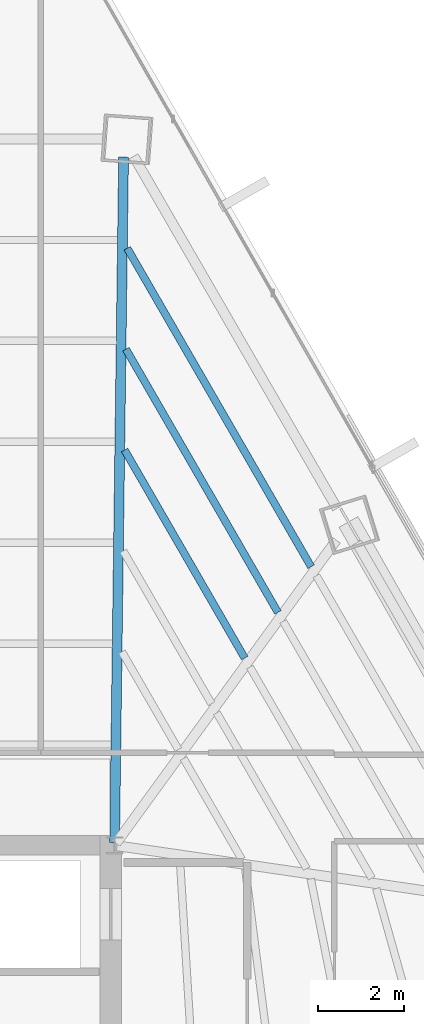
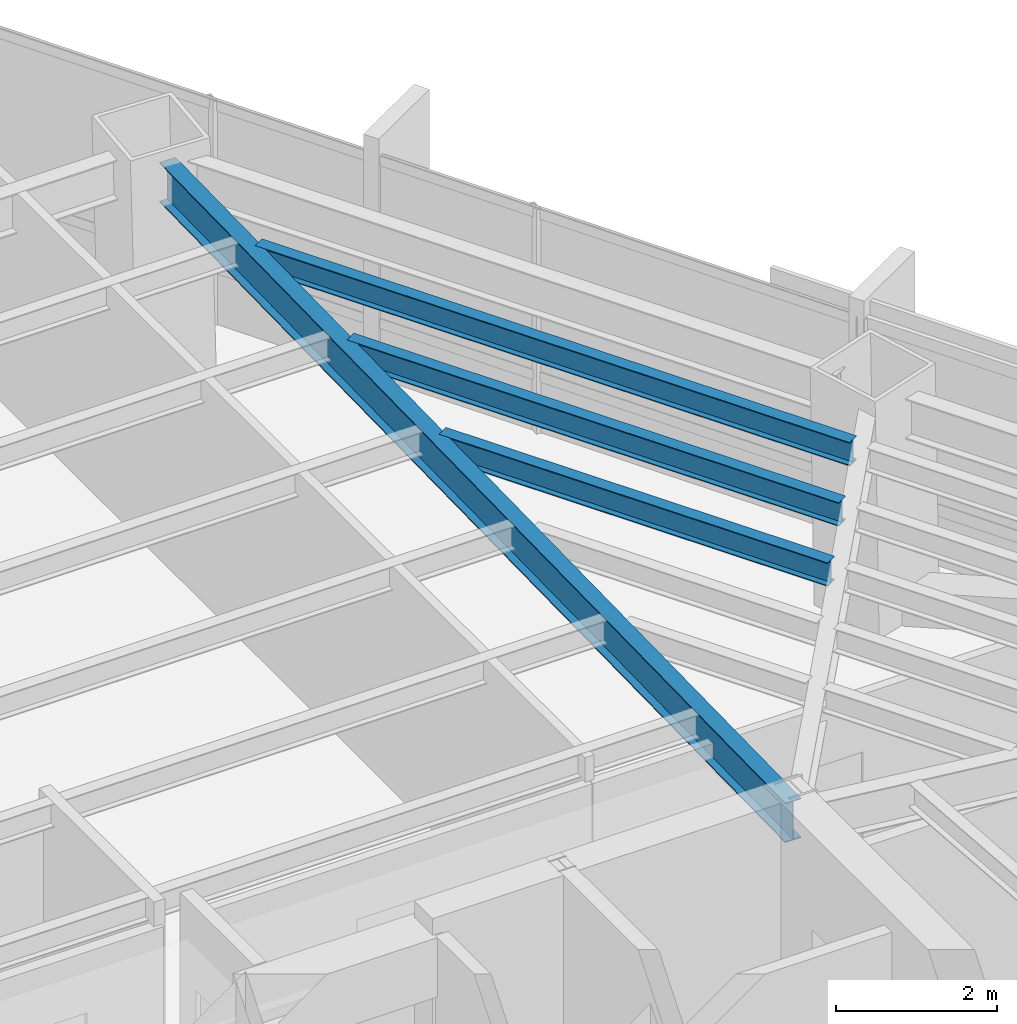
# One storey, part 27 of 35: 4 beams.
"""IFC4 building model written with IfcOpenShell, lengths in metres."""

from ifc_helpers import new_model, si_unit, direction, frame, origin, origin_2d, place, context, subcontext, project, spatial, i_section, extrude, source, transform, mapped, material, material_profile, profile_set, type_object, type_shapes, element, save


model = new_model("IFC4")

# Units and contexts
model_context = context("Model", 3, precision=1e-05, world=origin(), true_north=direction((0.0, 1.0)))
body_context = subcontext(model_context, "Body", "Model", "MODEL_VIEW")
ifc_project = project(units=[si_unit("LENGTHUNIT", "METRE"), si_unit("AREAUNIT", "SQUARE_METRE"), si_unit("VOLUMEUNIT", "CUBIC_METRE"), si_unit("PLANEANGLEUNIT", "RADIAN"), si_unit("MASSUNIT", "GRAM", prefix="KILO")], contexts=[model_context])

# Site, building, storey
site_placement = place(None, origin())
site = spatial("IfcSite", under=ifc_project, at=site_placement, CompositionType="ELEMENT")
building_placement = place(site_placement, origin())
building = spatial("IfcBuilding", under=site, at=building_placement, Name="Caelisora Broadcast Tower", CompositionType="ELEMENT")
storey_placement = place(building_placement, frame((0.0, 0.0, 90.800048828125)))
storey = spatial("IfcBuildingStorey", under=building, at=storey_placement, Name="L23", CompositionType="ELEMENT", Elevation=90.800048828125)

# Beams
ifc_material = material(Name="Steel Grade 350 (AS/NZS 3679.1)", Category="steel")
ifc_material_profile_1 = material_profile(ifc_material, i_section(OverallWidth=0.22802734375, OverallDepth=0.602294921875, WebThickness=0.010498046875, FlangeThickness=0.014892578125, at=origin_2d()), Name="Steel Grade 350 (AS/NZS 3679.1)")
ifc_profile_set_1 = profile_set([ifc_material_profile_1], Name="Steel Grade 350 (AS/NZS 3679.1)")
beam_type_1 = type_object("IfcBeamType", Name="PG04", PredefinedType="BEAM", material=ifc_profile_set_1)
shared_shape_1 = source(origin(), body_context, "Body", "SweptSolid", [
    extrude(i_section(OverallWidth=0.22802734375, OverallDepth=0.602294921875, WebThickness=0.010498046875, FlangeThickness=0.014892578125, at=origin_2d()), origin(), (0.0, 0.0, 1.0), 15.9111328125),
])
type_shapes(beam_type_1, [shared_shape_1])
beam_1_placement = place(storey_placement, frame((45.500732421875, 30.06005859375, 3.098876953125), z_axis=(0.013088526737, 0.999914341565, 0.0), x_axis=(-0.999914341565, 0.013088526737, 0.0)))
element("IfcBeam", 1, at=beam_1_placement, inside=storey, type_object=beam_type_1, Name="L23 beam PG04", PredefinedType="BEAM", context=body_context, shape_type="MappedRepresentation", body=[
    mapped(shared_shape_1, transform((0.0, 0.0, 0.0), scale=1.0)),
])
ifc_material_profile_2 = material_profile(ifc_material, i_section(OverallWidth=0.172119140625, OverallDepth=0.358642578125, WebThickness=0.008056640625, FlangeThickness=0.012939453125, at=origin_2d()), Name="Steel Grade 350 (AS/NZS 3679.1)")
ifc_profile_set_2 = profile_set([ifc_material_profile_2], Name="Steel Grade 350 (AS/NZS 3679.1)")
beam_type_2 = type_object("IfcBeamType", Name="SB02", PredefinedType="JOIST", material=ifc_profile_set_2)
shared_shape_2 = source(origin(), body_context, "Body", "SweptSolid", [
    extrude(i_section(OverallWidth=0.172119140625, OverallDepth=0.358642578125, WebThickness=0.008056640625, FlangeThickness=0.012939453125, at=origin_2d()), origin(), (0.0, 0.0, 1.0), 5.57568359375),
])
beam_2_placement = place(storey_placement, frame((48.5205078125, 34.346435546875, 3.220703125), z_axis=(-0.500005463837, 0.866022249214, 0.0), x_axis=(-0.866022249214, -0.500005463837, 0.0)))
element("IfcBeam", 2, at=beam_2_placement, inside=storey, type_object=beam_type_2, Name="L23 beam SB02", PredefinedType="JOIST", context=body_context, shape_type="MappedRepresentation", body=[
    mapped(shared_shape_2, transform((0.0, 0.0, 0.0), scale=1.0)),
])
shared_shape_3 = source(origin(), body_context, "Body", "SweptSolid", [
    extrude(i_section(OverallWidth=0.172119140625, OverallDepth=0.358642578125, WebThickness=0.008056640625, FlangeThickness=0.012939453125, at=origin_2d()), origin(), (0.0, 0.0, 1.0), 7.054931640625),
])
beam_3_placement = place(storey_placement, frame((49.290771484375, 35.40673828125, 3.220703125), z_axis=(-0.500021010326, 0.866013273127, 0.0), x_axis=(-0.866013273127, -0.500021010326, 0.0)))
element("IfcBeam", 3, at=beam_3_placement, inside=storey, type_object=beam_type_2, Name="L23 beam SB02", PredefinedType="JOIST", context=body_context, shape_type="MappedRepresentation", body=[
    mapped(shared_shape_3, transform((0.0, 0.0, 0.0), scale=1.0)),
])
shared_shape_4 = source(origin(), body_context, "Body", "SweptSolid", [
    extrude(i_section(OverallWidth=0.172119140625, OverallDepth=0.358642578125, WebThickness=0.008056640625, FlangeThickness=0.012939453125, at=origin_2d()), origin(), (0.0, 0.0, 1.0), 8.5341796875),
])
type_shapes(beam_type_2, [shared_shape_2, shared_shape_3, shared_shape_4])
beam_4_placement = place(storey_placement, frame((50.06103515625, 36.467041015625, 3.220703125), z_axis=(-0.499997324523, 0.866026948466, 0.0), x_axis=(-0.866026948466, -0.499997324523, 0.0)))
element("IfcBeam", 4, at=beam_4_placement, inside=storey, type_object=beam_type_2, Name="L23 beam SB02", PredefinedType="JOIST", context=body_context, shape_type="MappedRepresentation", body=[
    mapped(shared_shape_4, transform((0.0, 0.0, 0.0), scale=1.0)),
])

save(model, "model.ifc")
